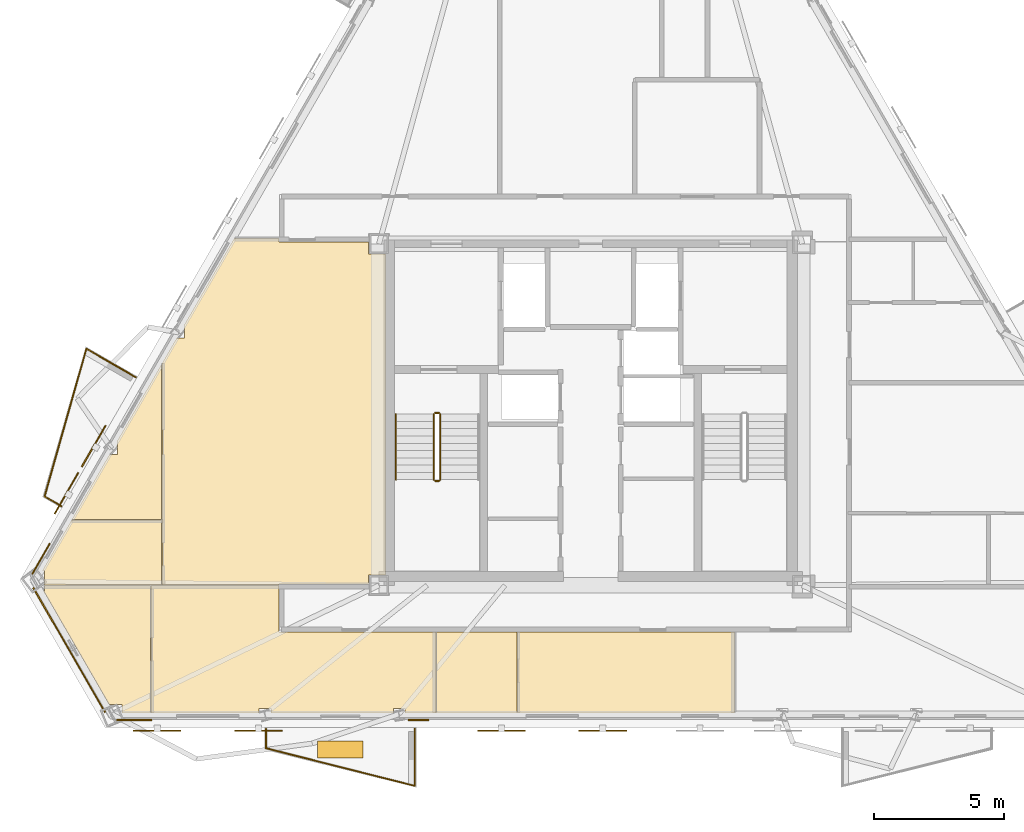
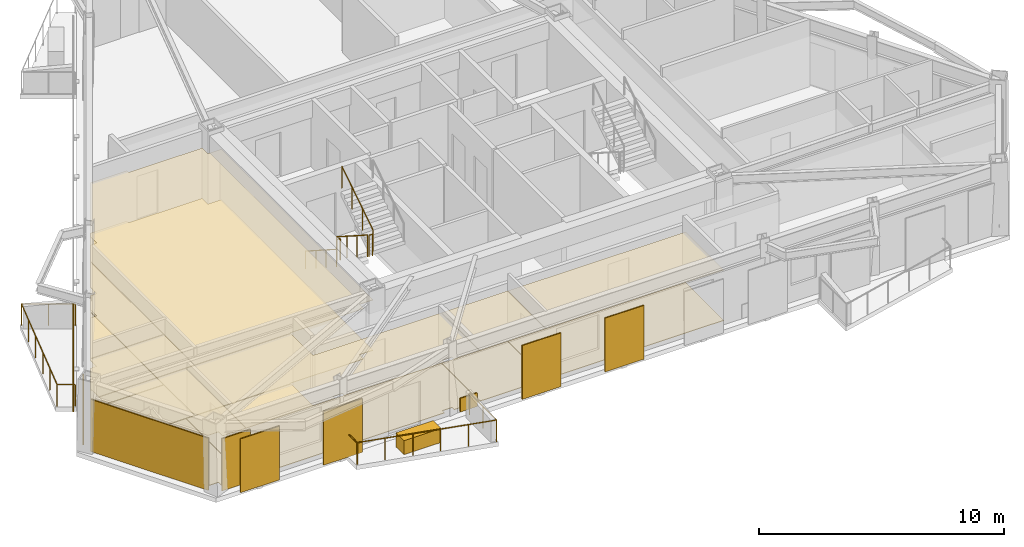
# One storey, part 7 of 9: 19 coverings, 11 railings, 6 shading devices.
"""IFC4 building model written with IfcOpenShell, lengths in metres."""

from ifc_helpers import new_model, si_unit, direction, frame, origin, origin_2d, place, context, subcontext, project, spatial, polyline, rectangle, circle, outline, extrude, material, layer, layer_set, type_object, element, save


model = new_model("IFC4")

# Units and contexts
model_context = context("Model", 3, precision=1e-05, world=origin(), true_north=direction((0.0, 1.0)))
body_context = subcontext(model_context, "Body", "Model", "MODEL_VIEW")
ifc_project = project(units=[si_unit("LENGTHUNIT", "METRE"), si_unit("AREAUNIT", "SQUARE_METRE"), si_unit("VOLUMEUNIT", "CUBIC_METRE"), si_unit("PLANEANGLEUNIT", "RADIAN"), si_unit("MASSUNIT", "GRAM", prefix="KILO")], contexts=[model_context])

# Site, building, storey
site_placement = place(None, origin())
site = spatial("IfcSite", under=ifc_project, at=site_placement, CompositionType="ELEMENT")
building_placement = place(site_placement, origin())
building = spatial("IfcBuilding", under=site, at=building_placement, Name="Oramaril Tower", CompositionType="ELEMENT")
storey_placement = place(building_placement, frame((0.0, 0.0, 234.300048828125)))
storey = spatial("IfcBuildingStorey", under=building, at=storey_placement, Name="L62", CompositionType="ELEMENT", Elevation=234.300048828125)

# Coverings
ifc_material_1 = material(Name="Mineral Fibre Acoustic Ceiling")
ifc_layer_1 = layer(ifc_material_1, 0.02001953125)
ifc_layer_set_1 = layer_set([ifc_layer_1], Name="CVT-CEIL")
covering_type_1 = type_object("IfcCoveringType", Name="CVT-CEIL", PredefinedType="CEILING", material=ifc_layer_set_1)
covering_1_placement = place(storey_placement, frame((0.0, 0.0, 2.511962890625)))
element("IfcCovering", 1, at=covering_1_placement, inside=storey, type_object=covering_type_1, Name="L62 Acoustic Suspended Ceiling 5", PredefinedType="CEILING", context=body_context, shape_type="SweptSolid", body=[
    extrude(outline(polyline([(31.5419921875, 6.08642578125), (30.349853515625, 6.08642578125), (30.349853515625, 6.26171875), (29.900390625, 6.26171875), (29.900390625, 6.08642578125), (25.191162109375, 6.08642578125), (25.191162109375, 6.26171875), (24.734619140625, 6.26171875), (24.734619140625, 6.08642578125), (20.57080078125, 6.08642578125), (20.57080078125, 10.991943359375), (25.5, 10.991943359375), (25.5, 9.219970703125), (25.5, 9.218017578125), (25.50048828125, 9.216064453125), (25.5009765625, 9.214111328125), (25.50146484375, 9.21240234375), (25.50244140625, 9.210693359375), (25.50341796875, 9.208984375), (25.50439453125, 9.207275390625), (25.505859375, 9.205810546875), (25.50732421875, 9.20458984375), (25.5087890625, 9.203369140625), (25.510498046875, 9.202392578125), (25.51220703125, 9.201416015625), (25.51416015625, 9.200927734375), (25.51611328125, 9.200439453125), (25.51806640625, 9.2001953125), (25.52001953125, 9.199951171875), (31.5419921875, 9.199951171875), (31.5419921875, 6.08642578125)])), origin(), (0.0, 0.0, 1.0), 0.02001953125),
])
covering_2_placement = place(storey_placement, frame((0.0, 0.0, 2.511962890625)))
element("IfcCovering", 2, at=covering_2_placement, inside=storey, type_object=covering_type_1, Name="L62 Acoustic Suspended Ceiling 6", PredefinedType="CEILING", context=body_context, shape_type="SweptSolid", body=[
    extrude(outline(polyline([(19.446044921875, 6.08642578125), (19.446044921875, 6.412109375), (18.9501953125, 6.412109375), (16.42822265625, 10.78076171875), (16.470703125, 10.78076171875), (16.470703125, 10.991943359375), (20.55078125, 10.991943359375), (20.55078125, 6.08642578125), (19.446044921875, 6.08642578125)])), origin(), (0.0, 0.0, 1.0), 0.02001953125),
])
covering_3_placement = place(storey_placement, frame((0.0, 0.0, 2.511962890625)))
element("IfcCovering", 3, at=covering_3_placement, inside=storey, type_object=covering_type_1, Name="L62 Acoustic Suspended Ceiling 7", PredefinedType="CEILING", context=body_context, shape_type="SweptSolid", body=[
    extrude(outline(polyline([(34.677978515625, 6.08642578125), (34.677978515625, 9.199951171875), (43.0419921875, 9.199951171875), (43.0419921875, 6.08642578125), (34.677978515625, 6.08642578125)])), origin(), (0.0, 0.0, 1.0), 0.02001953125),
])
covering_4_placement = place(storey_placement, frame((0.0, 0.0, 2.511962890625)))
element("IfcCovering", 4, at=covering_4_placement, inside=storey, type_object=covering_type_1, Name="L62 Acoustic Suspended Ceiling 8", PredefinedType="CEILING", context=body_context, shape_type="SweptSolid", body=[
    extrude(outline(polyline([(31.56201171875, 6.08642578125), (31.56201171875, 9.199951171875), (34.657958984375, 9.199951171875), (34.657958984375, 6.08642578125), (31.56201171875, 6.08642578125)])), origin(), (0.0, 0.0, 1.0), 0.02001953125),
])
covering_5_placement = place(storey_placement, frame((0.0, 0.0, 2.511962890625)))
element("IfcCovering", 5, at=covering_5_placement, inside=storey, type_object=covering_type_1, Name="L62 Acoustic Suspended Ceiling 12", PredefinedType="CEILING", context=body_context, shape_type="SweptSolid", body=[
    extrude(outline(polyline([(28.955078125, 23.7548828125), (29.60009765625, 23.7548828125), (29.60009765625, 11.39501953125), (28.955078125, 11.39501953125), (28.955078125, 11.050048828125), (25.52001953125, 11.050048828125), (25.51806640625, 11.0498046875), (25.51611328125, 11.049560546875), (25.51416015625, 11.049072265625), (25.51220703125, 11.048583984375), (25.510498046875, 11.047607421875), (25.5087890625, 11.046630859375), (25.50732421875, 11.04541015625), (25.505859375, 11.044189453125), (25.50439453125, 11.042724609375), (25.50341796875, 11.041015625), (25.50244140625, 11.039306640625), (25.50146484375, 11.03759765625), (25.5009765625, 11.035888671875), (25.50048828125, 11.033935546875), (25.5, 11.031982421875), (25.5, 11.030029296875), (25.5, 11.011962890625), (20.9951171875, 11.011962890625), (20.9951171875, 19.53955078125), (21.56005859375, 20.518310546875), (21.85498046875, 20.518310546875), (21.85498046875, 20.998046875), (21.837158203125, 20.998046875), (23.779296875, 24.362060546875), (25.5, 24.362060546875), (25.5, 24.239990234375), (25.5, 24.238037109375), (25.50048828125, 24.236083984375), (25.5009765625, 24.234130859375), (25.50146484375, 24.232421875), (25.50244140625, 24.230712890625), (25.50341796875, 24.22900390625), (25.50439453125, 24.227294921875), (25.505859375, 24.225830078125), (25.50732421875, 24.224609375), (25.5087890625, 24.223388671875), (25.510498046875, 24.222412109375), (25.51220703125, 24.221435546875), (25.51416015625, 24.220947265625), (25.51611328125, 24.220458984375), (25.51806640625, 24.22021484375), (25.52001953125, 24.219970703125), (28.955078125, 24.219970703125), (28.955078125, 23.7548828125)])), origin(), (0.0, 0.0, 1.0), 0.02001953125),
])
covering_6_placement = place(storey_placement, frame((0.0, 0.0, 2.511962890625)))
element("IfcCovering", 6, at=covering_6_placement, inside=storey, type_object=covering_type_1, Name="L62 Acoustic Suspended Ceiling 13", PredefinedType="CEILING", context=body_context, shape_type="SweptSolid", body=[
    extrude(outline(polyline([(16.470703125, 11.5751953125), (16.396728515625, 11.5751953125), (17.514892578125, 13.511962890625), (20.97509765625, 13.511962890625), (20.97509765625, 11.011962890625), (20.57080078125, 11.011962890625), (20.56884765625, 11.011962890625), (20.56689453125, 11.01171875), (20.56494140625, 11.010986328125), (20.56298828125, 11.010498046875), (20.561279296875, 11.009521484375), (20.560791015625, 11.00927734375), (20.560302734375, 11.009521484375), (20.55859375, 11.010498046875), (20.556640625, 11.010986328125), (20.5546875, 11.01171875), (20.552734375, 11.011962890625), (20.55078125, 11.011962890625), (16.470703125, 11.011962890625), (16.470703125, 11.5751953125)])), origin(), (0.0, 0.0, 1.0), 0.02001953125),
])
covering_7_placement = place(storey_placement, frame((0.0, 0.0, 2.511962890625)))
element("IfcCovering", 7, at=covering_7_placement, inside=storey, type_object=covering_type_1, Name="L62 Acoustic Suspended Ceiling 14", PredefinedType="CEILING", context=body_context, shape_type="SweptSolid", body=[
    extrude(outline(polyline([(19.272216796875, 16.044189453125), (19.272216796875, 16.530517578125), (19.2578125, 16.530517578125), (19.263671875, 16.541015625), (20.97509765625, 19.5048828125), (20.97509765625, 13.531982421875), (17.526611328125, 13.531982421875), (18.976806640625, 16.044189453125), (19.272216796875, 16.044189453125)])), origin(), (0.0, 0.0, 1.0), 0.02001953125),
])
ifc_material_2 = material(Name="Warm Cream Limestone", Category="masonry")
ifc_layer_2 = layer(ifc_material_2, 0.050048828125)
ifc_layer_set_2 = layer_set([ifc_layer_2], Name="CVT-CLD")
covering_type_2 = type_object("IfcCoveringType", Name="CVT-CLD", PredefinedType="CLADDING", material=ifc_layer_set_2)
covering_8_placement = place(storey_placement, frame((17.421875, 8.5078125, 0.0400390625), z_axis=(0.0, 0.0, 1.0), x_axis=(0.5, -0.866025403784, 0.0)))
element("IfcCovering", 8, at=covering_8_placement, inside=storey, type_object=covering_type_2, Name="L62 Warm Cream Limestone Cladding", PredefinedType="CLADDING", context=body_context, shape_type="SweptSolid", body=[
    extrude(rectangle(XDim=5.535400390625, YDim=0.050048828125, at=origin_2d()), origin(), (0.0, 0.0, 1.0), 2.596923828125),
])
covering_9_placement = place(storey_placement, frame((19.926025390625, 5.810302734375, 0.0400390625), z_axis=(0.0, 0.0, 1.0), x_axis=(1.0, 0.0, 0.0)))
element("IfcCovering", 9, at=covering_9_placement, inside=storey, type_object=covering_type_2, Name="L62 Warm Cream Limestone Cladding", PredefinedType="CLADDING", context=body_context, shape_type="SweptSolid", body=[
    extrude(rectangle(XDim=1.35009765625, YDim=0.050048828125, at=origin_2d()), origin(), (0.0, 0.0, 1.0), 2.596923828125),
])
covering_10_placement = place(storey_placement, frame((30.867431640625, 5.810302734375, 0.0400390625), z_axis=(0.0, 0.0, 1.0), x_axis=(1.0, 0.0, 0.0)))
element("IfcCovering", 10, at=covering_10_placement, inside=storey, type_object=covering_type_2, Name="L62 Warm Cream Limestone Spandrel Cladding", PredefinedType="CLADDING", context=body_context, shape_type="SweptSolid", body=[
    extrude(rectangle(XDim=0.800048828125, YDim=0.050048828125, at=origin_2d()), origin(), (0.0, 0.0, 1.0), 0.679931640625),
])
covering_11_placement = place(storey_placement, frame((16.337890625, 12.025390625, 0.0400390625), z_axis=(0.0, 0.0, 1.0), x_axis=(-0.4999984885, -0.866026276448, 0.0)))
element("IfcCovering", 11, at=covering_11_placement, inside=storey, type_object=covering_type_2, Name="L62 Warm Cream Limestone Cladding", PredefinedType="CLADDING", context=body_context, shape_type="SweptSolid", body=[
    extrude(rectangle(XDim=1.35009765625, YDim=0.050048828125, at=origin_2d()), origin(), (0.0, 0.0, 1.0), 2.596923828125),
])
covering_12_placement = place(storey_placement, frame((27.860595703125, 4.681884765625, 0.0), z_axis=(0.0, 0.0, 1.0), x_axis=(1.0, 0.0, 0.0)))
element("IfcCovering", 12, at=covering_12_placement, inside=storey, type_object=covering_type_2, Name="L62 Structural Tree Planter Box L62-BAL-S1", PredefinedType="CLADDING", context=body_context, shape_type="SweptSolid", body=[
    extrude(rectangle(XDim=1.75, YDim=0.64990234375, at=origin_2d()), origin(), (0.0, 0.0, 1.0), 0.699951171875),
])
ifc_material_3 = material(Name="Honed Quartzite Stone Flooring", Category="masonry")
ifc_layer_3 = layer(ifc_material_3, 0.02490234375)
ifc_layer_set_3 = layer_set([ifc_layer_3], Name="CVT-FLR")
covering_type_3 = type_object("IfcCoveringType", Name="CVT-FLR", PredefinedType="FLOORING", material=ifc_layer_set_3)
covering_13_placement = place(storey_placement, origin())
element("IfcCovering", 13, at=covering_13_placement, inside=storey, type_object=covering_type_3, Name="L62 Honed Stone Floor Finish 5", PredefinedType="FLOORING", context=body_context, shape_type="SweptSolid", body=[
    extrude(outline(polyline([(31.5419921875, 6.08642578125), (30.349853515625, 6.08642578125), (30.349853515625, 6.26171875), (29.900390625, 6.26171875), (29.900390625, 6.08642578125), (25.191162109375, 6.08642578125), (25.191162109375, 6.26171875), (24.734619140625, 6.26171875), (24.734619140625, 6.08642578125), (20.57080078125, 6.08642578125), (20.57080078125, 10.991943359375), (25.5, 10.991943359375), (25.5, 9.219970703125), (25.5, 9.218017578125), (25.50048828125, 9.216064453125), (25.5009765625, 9.214111328125), (25.50146484375, 9.21240234375), (25.50244140625, 9.210693359375), (25.50341796875, 9.208984375), (25.50439453125, 9.207275390625), (25.505859375, 9.205810546875), (25.50732421875, 9.20458984375), (25.5087890625, 9.203369140625), (25.510498046875, 9.202392578125), (25.51220703125, 9.201416015625), (25.51416015625, 9.200927734375), (25.51611328125, 9.200439453125), (25.51806640625, 9.2001953125), (25.52001953125, 9.199951171875), (31.5419921875, 9.199951171875), (31.5419921875, 6.08642578125)])), origin(), (0.0, 0.0, 1.0), 0.02490234375),
])
covering_14_placement = place(storey_placement, origin())
element("IfcCovering", 14, at=covering_14_placement, inside=storey, type_object=covering_type_3, Name="L62 Honed Stone Floor Finish 6", PredefinedType="FLOORING", context=body_context, shape_type="SweptSolid", body=[
    extrude(outline(polyline([(19.446044921875, 6.08642578125), (19.446044921875, 6.412109375), (18.9501953125, 6.412109375), (16.42822265625, 10.78076171875), (16.470703125, 10.78076171875), (16.470703125, 10.991943359375), (20.55078125, 10.991943359375), (20.55078125, 6.08642578125), (19.446044921875, 6.08642578125)])), origin(), (0.0, 0.0, 1.0), 0.02490234375),
])
covering_15_placement = place(storey_placement, origin())
element("IfcCovering", 15, at=covering_15_placement, inside=storey, type_object=covering_type_3, Name="L62 Honed Stone Floor Finish 7", PredefinedType="FLOORING", context=body_context, shape_type="SweptSolid", body=[
    extrude(outline(polyline([(34.677978515625, 6.08642578125), (34.677978515625, 9.199951171875), (43.0419921875, 9.199951171875), (43.0419921875, 6.08642578125), (34.677978515625, 6.08642578125)])), origin(), (0.0, 0.0, 1.0), 0.02490234375),
])
covering_16_placement = place(storey_placement, origin())
element("IfcCovering", 16, at=covering_16_placement, inside=storey, type_object=covering_type_3, Name="L62 Honed Stone Floor Finish 8", PredefinedType="FLOORING", context=body_context, shape_type="SweptSolid", body=[
    extrude(outline(polyline([(31.56201171875, 6.08642578125), (31.56201171875, 9.199951171875), (34.657958984375, 9.199951171875), (34.657958984375, 6.08642578125), (31.56201171875, 6.08642578125)])), origin(), (0.0, 0.0, 1.0), 0.02490234375),
])
covering_17_placement = place(storey_placement, origin())
element("IfcCovering", 17, at=covering_17_placement, inside=storey, type_object=covering_type_3, Name="L62 Honed Stone Floor Finish 12", PredefinedType="FLOORING", context=body_context, shape_type="SweptSolid", body=[
    extrude(outline(polyline([(28.955078125, 23.7548828125), (29.60009765625, 23.7548828125), (29.60009765625, 11.39501953125), (28.955078125, 11.39501953125), (28.955078125, 11.050048828125), (25.52001953125, 11.050048828125), (25.51806640625, 11.0498046875), (25.51611328125, 11.049560546875), (25.51416015625, 11.049072265625), (25.51220703125, 11.048583984375), (25.510498046875, 11.047607421875), (25.5087890625, 11.046630859375), (25.50732421875, 11.04541015625), (25.505859375, 11.044189453125), (25.50439453125, 11.042724609375), (25.50341796875, 11.041015625), (25.50244140625, 11.039306640625), (25.50146484375, 11.03759765625), (25.5009765625, 11.035888671875), (25.50048828125, 11.033935546875), (25.5, 11.031982421875), (25.5, 11.030029296875), (25.5, 11.011962890625), (20.9951171875, 11.011962890625), (20.9951171875, 19.53955078125), (21.56005859375, 20.518310546875), (21.85498046875, 20.518310546875), (21.85498046875, 20.998046875), (21.837158203125, 20.998046875), (23.779296875, 24.362060546875), (25.5, 24.362060546875), (25.5, 24.239990234375), (25.5, 24.238037109375), (25.50048828125, 24.236083984375), (25.5009765625, 24.234130859375), (25.50146484375, 24.232421875), (25.50244140625, 24.230712890625), (25.50341796875, 24.22900390625), (25.50439453125, 24.227294921875), (25.505859375, 24.225830078125), (25.50732421875, 24.224609375), (25.5087890625, 24.223388671875), (25.510498046875, 24.222412109375), (25.51220703125, 24.221435546875), (25.51416015625, 24.220947265625), (25.51611328125, 24.220458984375), (25.51806640625, 24.22021484375), (25.52001953125, 24.219970703125), (28.955078125, 24.219970703125), (28.955078125, 23.7548828125)])), origin(), (0.0, 0.0, 1.0), 0.02490234375),
])
covering_18_placement = place(storey_placement, origin())
element("IfcCovering", 18, at=covering_18_placement, inside=storey, type_object=covering_type_3, Name="L62 Honed Stone Floor Finish 13", PredefinedType="FLOORING", context=body_context, shape_type="SweptSolid", body=[
    extrude(outline(polyline([(16.470703125, 11.5751953125), (16.396728515625, 11.5751953125), (17.514892578125, 13.511962890625), (20.97509765625, 13.511962890625), (20.97509765625, 11.011962890625), (20.57080078125, 11.011962890625), (20.56884765625, 11.011962890625), (20.56689453125, 11.01171875), (20.56494140625, 11.010986328125), (20.56298828125, 11.010498046875), (20.561279296875, 11.009521484375), (20.560791015625, 11.00927734375), (20.560302734375, 11.009521484375), (20.55859375, 11.010498046875), (20.556640625, 11.010986328125), (20.5546875, 11.01171875), (20.552734375, 11.011962890625), (20.55078125, 11.011962890625), (16.470703125, 11.011962890625), (16.470703125, 11.5751953125)])), origin(), (0.0, 0.0, 1.0), 0.02490234375),
])
covering_19_placement = place(storey_placement, origin())
element("IfcCovering", 19, at=covering_19_placement, inside=storey, type_object=covering_type_3, Name="L62 Honed Stone Floor Finish 14", PredefinedType="FLOORING", context=body_context, shape_type="SweptSolid", body=[
    extrude(outline(polyline([(19.272216796875, 16.044189453125), (19.272216796875, 16.530517578125), (19.2578125, 16.530517578125), (19.263671875, 16.541015625), (20.97509765625, 19.5048828125), (20.97509765625, 13.531982421875), (17.526611328125, 13.531982421875), (18.976806640625, 16.044189453125), (19.272216796875, 16.044189453125)])), origin(), (0.0, 0.0, 1.0), 0.02490234375),
])

# Railings
ifc_material_4 = material(Name="Stainless Steel 316L", Category="steel")
railing_type_1 = type_object("IfcRailingType", Name="RLT-GRD", PredefinedType="GUARDRAIL", material=ifc_material_4)
railing_1_placement = place(storey_placement, frame((30.7255859375, 5.470458984375, 0.0)))
element("IfcRailing", 20, at=railing_1_placement, inside=storey, type_object=railing_type_1, Name="L62 Balcony Guardrail L62-BAL-S1.1", PredefinedType="GUARDRAIL", context=body_context, shape_type="SweptSolid", body=[
    extrude(circle(Radius=0.02392578125, at=origin_2d()), frame((0.0, 0.0, 1.076171875), z_axis=(0.0, -1.0, 0.0), x_axis=(1.0, 0.0, 0.0)), (0.0, 0.0, 1.0), 2.192138671875),
    extrude(circle(Radius=0.02099609375, at=origin_2d()), origin(), (0.0, 0.0, 1.0), 1.052001953125),
    extrude(circle(Radius=0.02099609375, at=origin_2d()), frame((0.0, -1.09619140625, 0.0)), (0.0, 0.0, 1.0), 1.052001953125),
    extrude(circle(Radius=0.02099609375, at=origin_2d()), frame((0.0, -2.192138671875, 0.0)), (0.0, 0.0, 1.0), 1.052001953125),
])
railing_2_placement = place(storey_placement, frame((30.7255859375, 3.2783203125, 0.0)))
element("IfcRailing", 21, at=railing_2_placement, inside=storey, type_object=railing_type_1, Name="L62 Balcony Guardrail L62-BAL-S1.2", PredefinedType="GUARDRAIL", context=body_context, shape_type="SweptSolid", body=[
    extrude(circle(Radius=0.02392578125, at=origin_2d()), frame((0.0, 0.0, 1.076171875), z_axis=(-0.969433787338, 0.245353076131, 0.0), x_axis=(-0.245353076131, -0.969433787338, 0.0)), (0.0, 0.0, 1.0), 5.91064453125),
    extrude(circle(Radius=0.02099609375, at=origin_2d()), origin(), (0.0, 0.0, 1.0), 1.052001953125),
    extrude(circle(Radius=0.02099609375, at=origin_2d()), frame((-1.14599609375, 0.2900390625, 0.0)), (0.0, 0.0, 1.0), 1.052001953125),
    extrude(circle(Radius=0.02099609375, at=origin_2d()), frame((-2.2919921875, 0.580078125, 0.0)), (0.0, 0.0, 1.0), 1.052001953125),
    extrude(circle(Radius=0.02099609375, at=origin_2d()), frame((-3.43798828125, 0.8701171875, 0.0)), (0.0, 0.0, 1.0), 1.052001953125),
    extrude(circle(Radius=0.02099609375, at=origin_2d()), frame((-4.583984375, 1.16015625, 0.0)), (0.0, 0.0, 1.0), 1.052001953125),
    extrude(circle(Radius=0.02099609375, at=origin_2d()), frame((-5.72998046875, 1.4501953125, 0.0)), (0.0, 0.0, 1.0), 1.052001953125),
])
railing_3_placement = place(storey_placement, frame((24.99560546875, 4.728515625, 0.0)))
element("IfcRailing", 22, at=railing_3_placement, inside=storey, type_object=railing_type_1, Name="L62 Balcony Guardrail L62-BAL-S1.3", PredefinedType="GUARDRAIL", context=body_context, shape_type="SweptSolid", body=[
    extrude(circle(Radius=0.02392578125, at=origin_2d()), frame((0.0, 0.0, 1.076171875), z_axis=(0.0, 1.0, 0.0), x_axis=(-1.0, 0.0, 0.0)), (0.0, 0.0, 1.0), 0.741943359375),
    extrude(circle(Radius=0.02099609375, at=origin_2d()), origin(), (0.0, 0.0, 1.0), 1.052001953125),
    extrude(circle(Radius=0.02099609375, at=origin_2d()), frame((0.0, 0.741943359375, 0.0)), (0.0, 0.0, 1.0), 1.052001953125),
])
railing_4_placement = place(storey_placement, frame((17.115478515625, 14.052490234375, 0.0)))
element("IfcRailing", 23, at=railing_4_placement, inside=storey, type_object=railing_type_1, Name="L62 Balcony Guardrail L62-BAL-NW2.1", PredefinedType="GUARDRAIL", context=body_context, shape_type="SweptSolid", body=[
    extrude(circle(Radius=0.02392578125, at=origin_2d()), frame((0.0, 0.0, 1.076171875), z_axis=(-0.865884080729, 0.500244698863, 0.0), x_axis=(-0.500244698863, -0.865884080729, 0.0)), (0.0, 0.0, 1.0), 0.741943359375),
    extrude(circle(Radius=0.02099609375, at=origin_2d()), origin(), (0.0, 0.0, 1.0), 1.052001953125),
    extrude(circle(Radius=0.02099609375, at=origin_2d()), frame((-0.642333984375, 0.37109375, 0.0)), (0.0, 0.0, 1.0), 1.052001953125),
])
railing_5_placement = place(storey_placement, frame((16.47314453125, 14.423583984375, 0.0)))
element("IfcRailing", 24, at=railing_5_placement, inside=storey, type_object=railing_type_1, Name="L62 Balcony Guardrail L62-BAL-NW2.2", PredefinedType="GUARDRAIL", context=body_context, shape_type="SweptSolid", body=[
    extrude(circle(Radius=0.02392578125, at=origin_2d()), frame((0.0, 0.0, 1.076171875), z_axis=(0.272259686627, 0.962223811303, 0.0), x_axis=(-0.962223811303, 0.272259686627, 0.0)), (0.0, 0.0, 1.0), 5.910400390625),
    extrude(circle(Radius=0.02099609375, at=origin_2d()), origin(), (0.0, 0.0, 1.0), 1.052001953125),
    extrude(circle(Radius=0.02099609375, at=origin_2d()), frame((0.32177734375, 1.137451171875, 0.0)), (0.0, 0.0, 1.0), 1.052001953125),
    extrude(circle(Radius=0.02099609375, at=origin_2d()), frame((0.6435546875, 2.27490234375, 0.0)), (0.0, 0.0, 1.0), 1.052001953125),
    extrude(circle(Radius=0.02099609375, at=origin_2d()), frame((0.965576171875, 3.412109375, 0.0)), (0.0, 0.0, 1.0), 1.052001953125),
    extrude(circle(Radius=0.02099609375, at=origin_2d()), frame((1.287353515625, 4.549560546875, 0.0)), (0.0, 0.0, 1.0), 1.052001953125),
    extrude(circle(Radius=0.02099609375, at=origin_2d()), frame((1.609130859375, 5.68701171875, 0.0)), (0.0, 0.0, 1.0), 1.052001953125),
])
railing_6_placement = place(storey_placement, frame((18.082275390625, 20.110595703125, 0.0)))
element("IfcRailing", 25, at=railing_6_placement, inside=storey, type_object=railing_type_1, Name="L62 Balcony Guardrail L62-BAL-NW2.3", PredefinedType="GUARDRAIL", context=body_context, shape_type="SweptSolid", body=[
    extrude(circle(Radius=0.02392578125, at=origin_2d()), frame((0.0, 0.0, 1.076171875), z_axis=(0.866048343933, -0.499960264392, 0.0), x_axis=(0.499960264392, 0.866048343933, 0.0)), (0.0, 0.0, 1.0), 2.192138671875),
    extrude(circle(Radius=0.02099609375, at=origin_2d()), origin(), (0.0, 0.0, 1.0), 1.052001953125),
    extrude(circle(Radius=0.02099609375, at=origin_2d()), frame((0.94921875, -0.5478515625, 0.0)), (0.0, 0.0, 1.0), 1.052001953125),
    extrude(circle(Radius=0.02099609375, at=origin_2d()), frame((1.8984375, -1.095947265625, 0.0)), (0.0, 0.0, 1.0), 1.052001953125),
])
railing_7_placement = place(storey_placement, frame((31.4599609375, 17.590087890625, 0.179931640625)))
element("IfcRailing", 26, at=railing_7_placement, inside=storey, type_object=railing_type_1, Name="L62 ST-1 stair guard 1", PredefinedType="GUARDRAIL", context=body_context, shape_type="SweptSolid", body=[
    extrude(circle(Radius=0.02392578125, at=origin_2d()), frame((0.0, 0.0, 1.076171875), z_axis=(0.0, -0.841162588446, 0.540782303519), x_axis=(1.0, 0.0, 0.0)), (0.0, 0.0, 1.0), 2.995849609375),
    extrude(circle(Radius=0.02099609375, at=origin_2d()), origin(), (0.0, 0.0, 1.0), 1.052001953125),
    extrude(circle(Radius=0.02099609375, at=origin_2d()), frame((0.0, -0.840087890625, 0.5400390625)), (0.0, 0.0, 1.0), 1.052001953125),
    extrude(circle(Radius=0.02099609375, at=origin_2d()), frame((0.0, -1.679931640625, 1.080078125)), (0.0, 0.0, 1.0), 1.052001953125),
    extrude(circle(Radius=0.02099609375, at=origin_2d()), frame((0.0, -2.52001953125, 1.6201171875)), (0.0, 0.0, 1.0), 1.052001953125),
])
railing_8_placement = place(storey_placement, frame((31.510009765625, 15.02001953125, 1.800048828125)))
element("IfcRailing", 27, at=railing_8_placement, inside=storey, type_object=railing_type_1, Name="L62 ST-1 stair guard 2", PredefinedType="GUARDRAIL", context=body_context, shape_type="SweptSolid", body=[
    extrude(circle(Radius=0.02392578125, at=origin_2d()), frame((0.0, 0.0, 1.076171875), z_axis=(1.0, 0.0, 0.0), x_axis=(0.0, 1.0, 0.0)), (0.0, 0.0, 1.0), 0.14990234375),
    extrude(circle(Radius=0.02099609375, at=origin_2d()), origin(), (0.0, 0.0, 1.0), 1.052001953125),
    extrude(circle(Radius=0.02099609375, at=origin_2d()), frame((0.14990234375, 0.0, 0.0)), (0.0, 0.0, 1.0), 1.052001953125),
])
railing_9_placement = place(storey_placement, frame((31.7099609375, 15.070068359375, 1.97998046875)))
element("IfcRailing", 28, at=railing_9_placement, inside=storey, type_object=railing_type_1, Name="L62 ST-1 stair guard 3", PredefinedType="GUARDRAIL", context=body_context, shape_type="SweptSolid", body=[
    extrude(circle(Radius=0.02392578125, at=origin_2d()), frame((0.0, 0.0, 1.076171875), z_axis=(0.0, 0.841199657755, 0.540724639528), x_axis=(-1.0, 0.0, 0.0)), (0.0, 0.0, 1.0), 2.995849609375),
    extrude(circle(Radius=0.02099609375, at=origin_2d()), origin(), (0.0, 0.0, 1.0), 1.052001953125),
    extrude(circle(Radius=0.02099609375, at=origin_2d()), frame((0.0, 0.840087890625, 0.5400390625)), (0.0, 0.0, 1.0), 1.052001953125),
    extrude(circle(Radius=0.02099609375, at=origin_2d()), frame((0.0, 1.679931640625, 1.079833984375)), (0.0, 0.0, 1.0), 1.052001953125),
    extrude(circle(Radius=0.02099609375, at=origin_2d()), frame((0.0, 2.52001953125, 1.619873046875)), (0.0, 0.0, 1.0), 1.052001953125),
])
railing_10_placement = place(storey_placement, frame((31.510009765625, 17.639892578125, 0.0)))
element("IfcRailing", 29, at=railing_10_placement, inside=storey, type_object=railing_type_1, Name="L62 ST-1 stair guard 4", PredefinedType="GUARDRAIL", context=body_context, shape_type="SweptSolid", body=[
    extrude(circle(Radius=0.02392578125, at=origin_2d()), frame((0.0, 0.0, 1.076171875), z_axis=(1.0, 0.0, 0.0), x_axis=(0.0, 1.0, 0.0)), (0.0, 0.0, 1.0), 0.14990234375),
    extrude(circle(Radius=0.02099609375, at=origin_2d()), origin(), (0.0, 0.0, 1.0), 1.052001953125),
    extrude(circle(Radius=0.02099609375, at=origin_2d()), frame((0.14990234375, 0.0, 0.0)), (0.0, 0.0, 1.0), 1.052001953125),
])
ifc_material_5 = material(Name="Stainless Steel 316L", Category="steel")
railing_type_2 = type_object("IfcRailingType", Name="RLT-HND", PredefinedType="HANDRAIL", material=ifc_material_5)
railing_11_placement = place(storey_placement, frame((30.0, 17.590087890625, 0.179931640625)))
element("IfcRailing", 30, at=railing_11_placement, inside=storey, type_object=railing_type_2, Name="L62 ST-1 stair handrail 1", PredefinedType="HANDRAIL", context=body_context, shape_type="SweptSolid", body=[
    extrude(circle(Radius=0.02392578125, at=origin_2d()), frame((0.0, 0.0, 0.8759765625), z_axis=(0.0, -0.841162588446, 0.540782303519), x_axis=(1.0, 0.0, 0.0)), (0.0, 0.0, 1.0), 2.995849609375),
    extrude(circle(Radius=0.02099609375, at=origin_2d()), origin(), (0.0, 0.0, 1.0), 0.851806640625),
    extrude(circle(Radius=0.02099609375, at=origin_2d()), frame((0.0, -0.840087890625, 0.5400390625)), (0.0, 0.0, 1.0), 0.851806640625),
    extrude(circle(Radius=0.02099609375, at=origin_2d()), frame((0.0, -1.679931640625, 1.080078125)), (0.0, 0.0, 1.0), 0.851806640625),
    extrude(circle(Radius=0.02099609375, at=origin_2d()), frame((0.0, -2.52001953125, 1.6201171875)), (0.0, 0.0, 1.0), 0.851806640625),
])

# Shading devices
for number, where, z_axis, x_axis, name in (
    (31, (20.8076171875, 5.3984375, -0.02001953125), (0.0, 0.0, 1.0), (1.0, 0.0, 0.0), "L62 Perforated Ceramic Solar Screen"),
    (32, (24.70751953125, 5.3984375, -0.02001953125), (0.0, 0.0, 1.0), (1.0, 0.0, 0.0), "L62 Perforated Ceramic Solar Screen"),
    (33, (34.06396484375, 5.3984375, -0.02001953125), (0.0, 0.0, 1.0), (1.0, 0.0, 0.0), "L62 Perforated Ceramic Solar Screen"),
    (34, (37.9638671875, 5.3984375, -0.02001953125), (0.0, 0.0, 1.0), (1.0, 0.0, 0.0), "L62 Perforated Ceramic Solar Screen"),
    (35, (17.31689453125, 14.544921875, -0.02001953125), (0.0, 0.0, 1.0), (-0.4999984885, -0.866026276448, 0.0), "L62 Perforated Ceramic Solar Screen"),
    (36, (18.3662109375, 16.36279296875, -0.02001953125), (0.0, 0.0, 1.0), (-0.4999984885, -0.866026276448, 0.0), "L62 Perforated Ceramic Solar Screen"),
):
    element("IfcShadingDevice", number, at=place(storey_placement, frame(where, z_axis=z_axis, x_axis=x_axis)), inside=storey, Name=name, ObjectType="SCREEN", PredefinedType="USERDEFINED", context=body_context, shape_type="SweptSolid", body=[
        extrude(rectangle(XDim=1.8330078125, YDim=0.050048828125, at=origin_2d()), origin(), (0.0, 0.0, 1.0), 2.677001953125),
    ])

save(model, "model.ifc")
